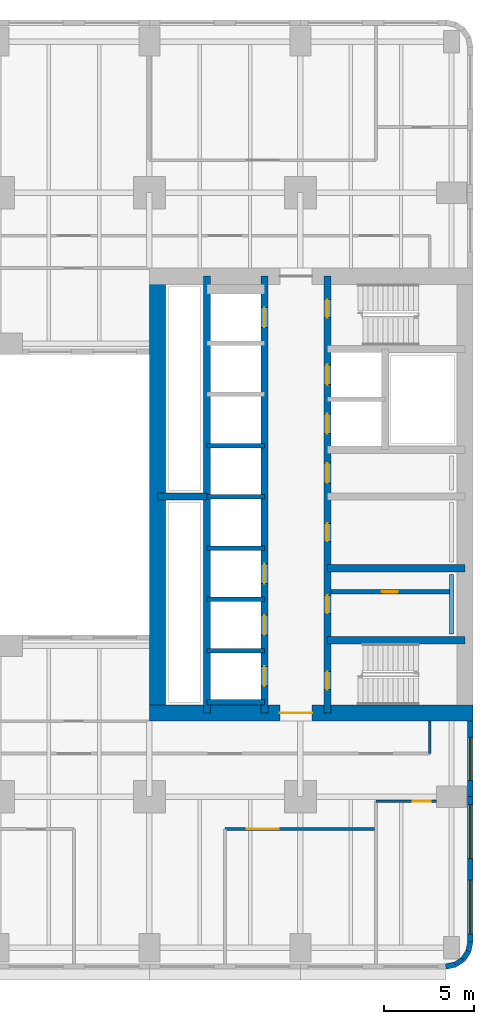
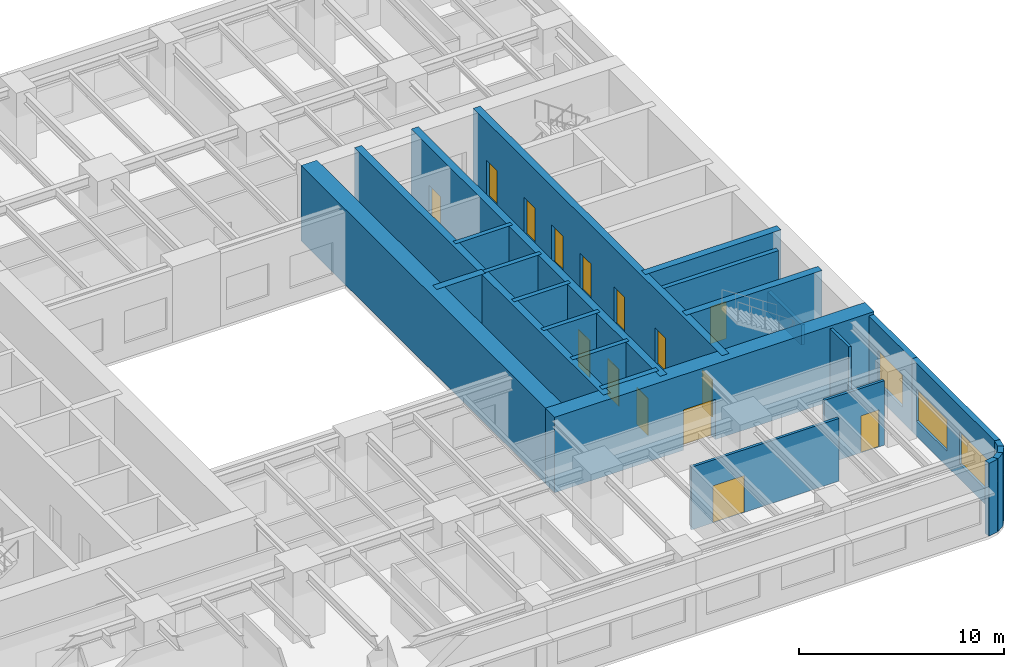
# One storey, part 5 of 14: 25 walls, 15 doors, 3 windows, 18 openings.
"""IFC4 building model written with IfcOpenShell, lengths in metres."""

from ifc_helpers import new_model, si_unit, direction, frame, frame_2d, origin, place, context, subcontext, project, spatial, rectangle, extrude, material, layer, layer_set, type_object, element, fill, save


model = new_model("IFC4")

# Units and contexts
model_context = context("Model", 3, precision=1e-05, world=origin(), true_north=direction((0.0, 1.0)))
body_context = subcontext(model_context, "Body", "Model", "MODEL_VIEW")
ifc_project = project(units=[si_unit("LENGTHUNIT", "METRE"), si_unit("AREAUNIT", "SQUARE_METRE"), si_unit("VOLUMEUNIT", "CUBIC_METRE"), si_unit("PLANEANGLEUNIT", "RADIAN"), si_unit("MASSUNIT", "GRAM", prefix="KILO")], contexts=[model_context])

# Site, building, storey
site_placement = place(None, origin())
site = spatial("IfcSite", under=ifc_project, at=site_placement, CompositionType="ELEMENT")
building_placement = place(site_placement, origin())
building = spatial("IfcBuilding", under=site, at=building_placement, Name="Claustro Exchange Tower", CompositionType="ELEMENT")
storey_placement = place(building_placement, frame((0.0, 0.0, 77.39990234375)))
storey = spatial("IfcBuildingStorey", under=building, at=storey_placement, Name="L17", CompositionType="ELEMENT", Elevation=77.39990234375)

# Wall, opening, door
ifc_material_1 = material(Name="Gypsum board on steel studs", Category="steel")
ifc_layer_1 = layer(ifc_material_1, 0.14990234375)
ifc_layer_set_1 = layer_set([ifc_layer_1], Name="Gypsum board on steel studs")
wall_type_1 = type_object("IfcWallType", Name="P1 150 plasterboard partition", PredefinedType="PARTITIONING", material=ifc_layer_set_1)
wall_1_placement = place(storey_placement, frame((46.199951171875, 8.14990234375, 0.0), z_axis=(0.0, 0.0, 1.0), x_axis=(1.0, 0.0, 0.0)))
wall_1 = element("IfcWall", 1, at=wall_1_placement, inside=storey, type_object=wall_type_1, Name="Partition P1 L17", PredefinedType="PARTITIONING", context=body_context, shape_type="SweptSolid", body=[
    extrude(rectangle(XDim=3.3759765625, YDim=0.14990234375, at=frame_2d((1.68798828125, 0.0))), origin(), (0.0, 0.0, 1.0), 3.840087890625),
])
opening_1_placement = place(wall_1_placement, frame((2.050048828125, 0.0, 0.0)))
opening_1 = element("IfcOpeningElement", 2, at=opening_1_placement, cuts=wall_1, Name="Opening D1", PredefinedType="OPENING", context=body_context, shape_type="SweptSolid", body=[
    extrude(rectangle(XDim=1.0, YDim=2.199951171875, at=frame_2d((0.5, 1.10009765625))), frame((0.0, 0.0849609375, 0.0), z_axis=(0.0, -1.0, 0.0), x_axis=(1.0, 0.0, 0.0)), (0.0, 0.0, 1.0), 0.169921875),
])
ifc_material_2 = material(Name="Timber door, oak veneer", Category="wood")
door_type_1 = type_object("IfcDoorType", Name="D1 1000 x 2200 single door", OperationType="SINGLE_SWING_LEFT", PredefinedType="DOOR", material=ifc_material_2)
door_1_placement = place(opening_1_placement, frame((1.0, 0.0, 0.0), z_axis=(0.0, 0.0, 1.0), x_axis=(-1.0, 0.0, 0.0)))
door_1 = element("IfcDoor", 3, at=door_1_placement, inside=storey, type_object=door_type_1, Name="Door D1 L17", OperationType="SINGLE_SWING_RIGHT", OverallHeight=2.199951171875, OverallWidth=1.0, PredefinedType="DOOR", context=body_context, shape_type="SweptSolid", body=[
    extrude(rectangle(XDim=1.0, YDim=2.199951171875, at=frame_2d((0.5, 1.10009765625))), frame((0.0, 0.02490234375, 0.0), z_axis=(0.0, -1.0, 0.0), x_axis=(1.0, 0.0, 0.0)), (0.0, 0.0, 1.0), 0.050048828125),
])
fill(opening_1, door_1)

wall_2_placement = place(storey_placement, frame((37.800048828125, 6.60009765625, 0.0), z_axis=(0.0, 0.0, 1.0), x_axis=(1.0, 0.0, 0.0)))
wall_2 = element("IfcWall", 4, at=wall_2_placement, inside=storey, type_object=wall_type_1, Name="Partition P1 L17", PredefinedType="PARTITIONING", context=body_context, shape_type="SweptSolid", body=[
    extrude(rectangle(XDim=8.325927734375, YDim=0.14990234375, at=frame_2d((4.1630859375, 0.0))), origin(), (0.0, 0.0, 1.0), 3.739990234375),
])
opening_2_placement = place(wall_2_placement, frame((1.199951171875, 0.0, 0.0)))
opening_2 = element("IfcOpeningElement", 5, at=opening_2_placement, cuts=wall_2, Name="Opening D2", PredefinedType="OPENING", context=body_context, shape_type="SweptSolid", body=[
    extrude(rectangle(XDim=1.800048828125, YDim=2.199951171875, at=frame_2d((0.89990234375, 1.10009765625))), frame((0.0, 0.0849609375, 0.0), z_axis=(0.0, -1.0, 0.0), x_axis=(1.0, 0.0, 0.0)), (0.0, 0.0, 1.0), 0.169921875),
])
ifc_material_3 = material(Name="Timber door, oak veneer", Category="wood")
door_type_2 = type_object("IfcDoorType", Name="D2 1800 x 2200 double door", OperationType="DOUBLE_DOOR_SINGLE_SWING", PredefinedType="DOOR", material=ifc_material_3)
door_2_placement = place(opening_2_placement, frame((1.800048828125, 0.0, 0.0), z_axis=(0.0, 0.0, 1.0), x_axis=(-1.0, 0.0, 0.0)))
door_2 = element("IfcDoor", 6, at=door_2_placement, inside=storey, type_object=door_type_2, Name="Double door D2 L17", OperationType="DOUBLE_DOOR_SINGLE_SWING", OverallHeight=2.199951171875, OverallWidth=1.800048828125, PredefinedType="DOOR", context=body_context, shape_type="SweptSolid", body=[
    extrude(rectangle(XDim=1.800048828125, YDim=2.199951171875, at=frame_2d((0.89990234375, 1.10009765625))), frame((0.0, 0.02490234375, 0.0), z_axis=(0.0, -1.0, 0.0), x_axis=(1.0, 0.0, 0.0)), (0.0, 0.0, 1.0), 0.050048828125),
])
fill(opening_2, door_2)

# Wall
wall_3_placement = place(storey_placement, frame((49.199951171875, 10.800048828125, 0.0), z_axis=(0.0, 0.0, 1.0), x_axis=(0.0, 1.0, 0.0)))
element("IfcWall", 7, at=wall_3_placement, inside=storey, type_object=wall_type_1, Name="Partition P1 L17", PredefinedType="PARTITIONING", context=body_context, shape_type="SweptSolid", body=[
    extrude(rectangle(XDim=1.802001953125, YDim=0.14990234375, at=frame_2d((0.90087890625, 0.0))), origin(), (0.0, 0.0, 1.0), 4.340087890625),
])

# Wall, opening, door
ifc_material_4 = material(Name="Concrete blockwork, rendered", Category="masonry")
ifc_layer_2 = layer(ifc_material_4, 0.25)
ifc_layer_set_2 = layer_set([ifc_layer_2], Name="Concrete blockwork, rendered")
wall_type_2 = type_object("IfcWallType", Name="P4 250 blockwork wall", PredefinedType="PARTITIONING", material=ifc_layer_set_2)
wall_4_placement = place(storey_placement, frame((43.699951171875, 19.800048828125, 0.0), z_axis=(0.0, 0.0, 1.0), x_axis=(1.0, 0.0, 0.0)))
wall_4 = element("IfcWall", 8, at=wall_4_placement, inside=storey, type_object=wall_type_2, Name="Partition P4 L17", PredefinedType="PARTITIONING", context=body_context, shape_type="SweptSolid", body=[
    extrude(rectangle(XDim=6.60009765625, YDim=0.25, at=frame_2d((3.300048828125, 0.0))), origin(), (0.0, 0.0, 1.0), 4.300048828125),
])
opening_3_placement = place(wall_4_placement, frame((2.824951171875, 0.0, 0.0)))
opening_3 = element("IfcOpeningElement", 9, at=opening_3_placement, cuts=wall_4, Name="Opening D5", PredefinedType="OPENING", context=body_context, shape_type="SweptSolid", body=[
    extrude(rectangle(XDim=0.89990234375, YDim=2.199951171875, at=frame_2d((0.449951171875, 1.10009765625))), frame((0.0, 0.135009765625, 0.0), z_axis=(0.0, -1.0, 0.0), x_axis=(1.0, 0.0, 0.0)), (0.0, 0.0, 1.0), 0.27001953125),
])
ifc_material_5 = material(Name="Steel door, painted", Category="steel")
door_type_3 = type_object("IfcDoorType", Name="D5 900 x 2200 store door", OperationType="SINGLE_SWING_LEFT", PredefinedType="DOOR", material=ifc_material_5)
door_3_placement = place(opening_3_placement, origin())
door_3 = element("IfcDoor", 10, at=door_3_placement, inside=storey, type_object=door_type_3, Name="Store door D5 L17", OperationType="SINGLE_SWING_RIGHT", OverallHeight=2.199951171875, OverallWidth=0.89990234375, PredefinedType="DOOR", context=body_context, shape_type="SweptSolid", body=[
    extrude(rectangle(XDim=0.89990234375, YDim=2.199951171875, at=frame_2d((0.449951171875, 1.10009765625))), frame((0.0, 0.02490234375, 0.0), z_axis=(0.0, -1.0, 0.0), x_axis=(1.0, 0.0, 0.0)), (0.0, 0.0, 1.0), 0.050048828125),
])
fill(opening_3, door_3)

# Wall, opening, window
ifc_material_6 = material(Name="Concrete HA-40 (C40/50), precast, white cement, acid-etched", Category="concrete")
ifc_layer_3 = layer(ifc_material_6, 0.300048828125)
ifc_layer_set_3 = layer_set([ifc_layer_3], Name="Concrete HA-40 (C40/50), precast, white cement, acid-etched")
wall_type_3 = type_object("IfcWallType", Name="PC1 300 precast concrete pier panel", PredefinedType="SOLIDWALL", material=ifc_layer_set_3)
wall_5_placement = place(storey_placement, frame((51.449951171875, 12.60009765625, 0.0), z_axis=(0.0, 0.0, 1.0), x_axis=(0.0, -1.0, 0.0)))
wall_5 = element("IfcWall", 11, at=wall_5_placement, inside=storey, type_object=wall_type_3, Name="Precast pier panel PC1 L17", PredefinedType="SOLIDWALL", context=body_context, shape_type="SweptSolid", body=[
    extrude(rectangle(XDim=4.2001953125, YDim=0.300048828125, at=frame_2d((2.10009765625, 0.0))), origin(), (0.0, 0.0, 1.0), 4.340087890625),
])
opening_4_placement = place(wall_5_placement, frame((0.89990234375, 0.0, 0.89990234375)))
opening_4 = element("IfcOpeningElement", 12, at=opening_4_placement, cuts=wall_5, Name="Opening W2", PredefinedType="OPENING", context=body_context, shape_type="SweptSolid", body=[
    extrude(rectangle(XDim=2.39990234375, YDim=1.89990234375, at=frame_2d((1.199951171875, 0.949951171875))), frame((0.0, 0.159912109375, 0.0), z_axis=(0.0, -1.0, 0.0), x_axis=(1.0, 0.0, 0.0)), (0.0, 0.0, 1.0), 0.320068359375),
])
ifc_material_7 = material(Name="Aluminium frame, clear double glazing", Category="aluminium")
window_type_1 = type_object("IfcWindowType", Name="W2 2400 x 1900 window", PartitioningType="SINGLE_PANEL", PredefinedType="WINDOW", material=ifc_material_7)
window_1_placement = place(opening_4_placement, origin())
window_1 = element("IfcWindow", 13, at=window_1_placement, inside=storey, type_object=window_type_1, Name="Window W2 L17", OverallHeight=1.89990234375, OverallWidth=2.39990234375, PartitioningType="SINGLE_PANEL", PredefinedType="WINDOW", context=body_context, shape_type="SweptSolid", body=[
    extrude(rectangle(XDim=2.39990234375, YDim=1.89990234375, at=frame_2d((1.199951171875, 0.949951171875))), frame((0.0, 0.030029296875, 0.0), z_axis=(0.0, -1.0, 0.0), x_axis=(1.0, 0.0, 0.0)), (0.0, 0.0, 1.0), 0.06005859375),
])
fill(opening_4, window_1)

# Wall, openings, windows
wall_6_placement = place(storey_placement, frame((51.449951171875, 8.39990234375, 0.0), z_axis=(0.0, 0.0, 1.0), x_axis=(0.0, -1.0, 0.0)))
wall_6 = element("IfcWall", 14, at=wall_6_placement, inside=storey, type_object=wall_type_3, Name="Precast pier panel PC1 L17", PredefinedType="SOLIDWALL", context=body_context, shape_type="SweptSolid", body=[
    extrude(rectangle(XDim=8.085205078125, YDim=0.300048828125, at=frame_2d((4.04248046875, 0.0))), origin(), (0.0, 0.0, 1.0), 4.340087890625),
])
opening_5_placement = place(wall_6_placement, frame((0.442626953125, 0.0, 0.89990234375)))
opening_5 = element("IfcOpeningElement", 15, at=opening_5_placement, cuts=wall_6, Name="Opening W1", PredefinedType="OPENING", context=body_context, shape_type="SweptSolid", body=[
    extrude(rectangle(XDim=3.0, YDim=1.89990234375, at=frame_2d((1.5, 0.949951171875))), frame((0.0, 0.159912109375, 0.0), z_axis=(0.0, -1.0, 0.0), x_axis=(1.0, 0.0, 0.0)), (0.0, 0.0, 1.0), 0.320068359375),
])
opening_6_placement = place(wall_6_placement, frame((4.642578125, 0.0, 0.89990234375)))
opening_6 = element("IfcOpeningElement", 16, at=opening_6_placement, cuts=wall_6, Name="Opening W1", PredefinedType="OPENING", context=body_context, shape_type="SweptSolid", body=[
    extrude(rectangle(XDim=3.0, YDim=1.89990234375, at=frame_2d((1.5, 0.949951171875))), frame((0.0, 0.159912109375, 0.0), z_axis=(0.0, -1.0, 0.0), x_axis=(1.0, 0.0, 0.0)), (0.0, 0.0, 1.0), 0.320068359375),
])
ifc_material_8 = material(Name="Aluminium frame, clear double glazing", Category="aluminium")
window_type_2 = type_object("IfcWindowType", Name="W1 3000 x 1900 window", PartitioningType="SINGLE_PANEL", PredefinedType="WINDOW", material=ifc_material_8)
window_2_placement = place(opening_5_placement, origin())
window_2 = element("IfcWindow", 17, at=window_2_placement, inside=storey, type_object=window_type_2, Name="Window W1 L17", OverallHeight=1.89990234375, OverallWidth=3.0, PartitioningType="SINGLE_PANEL", PredefinedType="WINDOW", context=body_context, shape_type="SweptSolid", body=[
    extrude(rectangle(XDim=3.0, YDim=1.89990234375, at=frame_2d((1.5, 0.949951171875))), frame((0.0, 0.030029296875, 0.0), z_axis=(0.0, -1.0, 0.0), x_axis=(1.0, 0.0, 0.0)), (0.0, 0.0, 1.0), 0.06005859375),
])
fill(opening_5, window_2)
window_3_placement = place(opening_6_placement, origin())
window_3 = element("IfcWindow", 18, at=window_3_placement, inside=storey, type_object=window_type_2, Name="Window W1 L17", OverallHeight=1.89990234375, OverallWidth=3.0, PartitioningType="SINGLE_PANEL", PredefinedType="WINDOW", context=body_context, shape_type="SweptSolid", body=[
    extrude(rectangle(XDim=3.0, YDim=1.89990234375, at=frame_2d((1.5, 0.949951171875))), frame((0.0, 0.030029296875, 0.0), z_axis=(0.0, -1.0, 0.0), x_axis=(1.0, 0.0, 0.0)), (0.0, 0.0, 1.0), 0.06005859375),
])
fill(opening_6, window_3)

# Walls
wall_7_placement = place(storey_placement, frame((51.449951171875, 0.314697265625, 0.0), z_axis=(0.0, 0.0, 1.0), x_axis=(-0.195073962632, -0.980788534345, 0.0)))
element("IfcWall", 19, at=wall_7_placement, inside=storey, type_object=wall_type_3, Name="Precast pier panel PC1 L17", PredefinedType="SOLIDWALL", context=body_context, shape_type="SweptSolid", body=[
    extrude(rectangle(XDim=0.540771484375, YDim=0.300048828125, at=frame_2d((0.2705078125, 0.0))), origin(), (0.0, 0.0, 1.0), 4.340087890625),
])
for number, where, z_axis, x_axis, name in (
    (20, (51.344482421875, -0.215576171875, 0.0), (0.0, 0.0, 1.0), (-0.555557463938, -0.831478144188, 0.0), "Precast pier panel PC1 L17"),
    (21, (51.052490234375, -0.652587890625, 0.0), (0.0, 0.0, 1.0), (-0.831478144188, -0.555557463938, 0.0), "Precast pier panel PC1 L17"),
):
    element("IfcWall", number, at=place(storey_placement, frame(where, z_axis=z_axis, x_axis=x_axis)), inside=storey, type_object=wall_type_3, Name=name, PredefinedType="SOLIDWALL", context=body_context, shape_type="SweptSolid", body=[
        extrude(rectangle(XDim=0.525634765625, YDim=0.300048828125, at=frame_2d((0.2626953125, 0.0))), origin(), (0.0, 0.0, 1.0), 4.340087890625),
    ])
wall_8_placement = place(storey_placement, frame((50.615478515625, -0.944580078125, 0.0), z_axis=(0.0, 0.0, 1.0), x_axis=(-0.980788534345, -0.195073962632, 0.0)))
element("IfcWall", 22, at=wall_8_placement, inside=storey, type_object=wall_type_3, Name="Precast pier panel PC1 L17", PredefinedType="SOLIDWALL", context=body_context, shape_type="SweptSolid", body=[
    extrude(rectangle(XDim=0.540771484375, YDim=0.300048828125, at=frame_2d((0.2705078125, 0.0))), origin(), (0.0, 0.0, 1.0), 4.340087890625),
])
ifc_material_9 = material(Name="Gypsum board on steel studs, tiled", Category="steel")
ifc_layer_4 = layer(ifc_material_9, 0.199951171875)
ifc_layer_set_4 = layer_set([ifc_layer_4], Name="Gypsum board on steel studs, tiled")
wall_type_4 = type_object("IfcWallType", Name="PW1 200 WC duct wall", PredefinedType="PLUMBINGWALL", material=ifc_layer_set_4)
wall_9_placement = place(storey_placement, frame((50.39990234375, 17.449951171875, 0.0), z_axis=(0.0, 0.0, 1.0), x_axis=(0.0, 1.0, 0.0)))
element("IfcWall", 23, at=wall_9_placement, inside=storey, type_object=wall_type_4, Name="WC duct wall PW1 L17", PredefinedType="PLUMBINGWALL", context=body_context, shape_type="SweptSolid", body=[
    extrude(rectangle(XDim=3.300048828125, YDim=0.199951171875, at=frame_2d((1.64990234375, 0.0))), origin(), (0.0, 0.0, 1.0), 1.2001953125),
])

# Wall, opening, door
ifc_material_10 = material(Name="Concrete HA-70 (C70/85)", Category="concrete")
ifc_layer_5 = layer(ifc_material_10, 0.89990234375)
ifc_layer_set_5 = layer_set([ifc_layer_5], Name="Concrete HA-70 (C70/85)")
wall_type_5 = type_object("IfcWallType", Name="SW1 900 core shear wall", PredefinedType="SHEAR", material=ifc_layer_set_5)
wall_10_placement = place(storey_placement, frame((33.60009765625, 13.050048828125, 0.0), z_axis=(0.0, 0.0, 1.0), x_axis=(1.0, 0.0, 0.0)))
wall_10 = element("IfcWall", 24, at=wall_10_placement, inside=storey, type_object=wall_type_5, Name="Core wall SW1 E core S face L17", PredefinedType="SHEAR", context=body_context, shape_type="SweptSolid", body=[
    extrude(rectangle(XDim=18.0, YDim=0.89990234375, at=frame_2d((9.0, 0.0))), origin(), (0.0, 0.0, 1.0), 4.5),
])
opening_7_placement = place(wall_10_placement, frame((7.25, 0.0, 0.0)))
opening_7 = element("IfcOpeningElement", 25, at=opening_7_placement, cuts=wall_10, Name="Opening D3", PredefinedType="OPENING", context=body_context, shape_type="SweptSolid", body=[
    extrude(rectangle(XDim=1.800048828125, YDim=2.39990234375, at=frame_2d((0.89990234375, 1.199951171875))), frame((0.0, 0.4599609375, 0.0), z_axis=(0.0, -1.0, 0.0), x_axis=(1.0, 0.0, 0.0)), (0.0, 0.0, 1.0), 0.919921875),
])
ifc_material_11 = material(Name="Steel fire door, painted", Category="steel")
door_type_4 = type_object("IfcDoorType", Name="D3 1800 x 2400 fire-rated lobby double door", OperationType="DOUBLE_DOOR_SINGLE_SWING", PredefinedType="DOOR", material=ifc_material_11)
door_4_placement = place(opening_7_placement, origin())
door_4 = element("IfcDoor", 26, at=door_4_placement, inside=storey, type_object=door_type_4, Name="Lift lobby door D3 L17", OperationType="DOUBLE_DOOR_SINGLE_SWING", OverallHeight=2.39990234375, OverallWidth=1.800048828125, PredefinedType="DOOR", context=body_context, shape_type="SweptSolid", body=[
    extrude(rectangle(XDim=1.800048828125, YDim=2.39990234375, at=frame_2d((0.89990234375, 1.199951171875))), frame((0.0, 0.02490234375, 0.0), z_axis=(0.0, -1.0, 0.0), x_axis=(1.0, 0.0, 0.0)), (0.0, 0.0, 1.0), 0.050048828125),
])
fill(opening_7, door_4)

# Wall
ifc_material_12 = material(Name="Concrete HA-70 (C70/85)", Category="concrete")
ifc_layer_6 = layer(ifc_material_12, 0.89990234375)
ifc_layer_set_6 = layer_set([ifc_layer_6], Name="Concrete HA-70 (C70/85)")
wall_type_6 = type_object("IfcWallType", Name="SW1X 900 exposed core shear wall, board-marked face", PredefinedType="SHEAR", material=ifc_layer_set_6)
wall_11_placement = place(storey_placement, frame((34.050048828125, 13.050048828125, 0.0), z_axis=(0.0, 0.0, 1.0), x_axis=(0.0, 1.0, 0.0)))
element("IfcWall", 27, at=wall_11_placement, inside=storey, type_object=wall_type_6, Name="Core wall SW1X E core W face L17", PredefinedType="SHEAR", context=body_context, shape_type="SweptSolid", body=[
    extrude(rectangle(XDim=24.300048828125, YDim=0.89990234375, at=frame_2d((12.14990234375, 0.0))), origin(), (0.0, 0.0, 1.0), 4.5),
])

# Wall, openings, doors
ifc_material_13 = material(Name="Concrete HA-50 (C50/60)", Category="concrete")
ifc_layer_7 = layer(ifc_material_13, 0.39990234375)
ifc_layer_set_7 = layer_set([ifc_layer_7], Name="Concrete HA-50 (C50/60)")
wall_type_7 = type_object("IfcWallType", Name="SW4 400 internal core wall", PredefinedType="SHEAR", material=ifc_layer_set_7)
wall_12_placement = place(storey_placement, frame((43.5, 13.050048828125, 0.0), z_axis=(0.0, 0.0, 1.0), x_axis=(0.0, 1.0, 0.0)))
wall_12 = element("IfcWall", 28, at=wall_12_placement, inside=storey, type_object=wall_type_7, Name="Internal core wall SW4 E core L17", PredefinedType="SHEAR", context=body_context, shape_type="SweptSolid", body=[
    extrude(rectangle(XDim=24.300048828125, YDim=0.39990234375, at=frame_2d((12.14990234375, 0.0))), origin(), (0.0, 0.0, 1.0), 4.5),
])
opening_8_placement = place(wall_12_placement, frame((1.300048828125, 0.0, 0.0)))
opening_8 = element("IfcOpeningElement", 29, at=opening_8_placement, cuts=wall_12, Name="Opening D4", PredefinedType="OPENING", context=body_context, shape_type="SweptSolid", body=[
    extrude(rectangle(XDim=1.0, YDim=2.199951171875, at=frame_2d((0.5, 1.10009765625))), frame((0.0, 0.2099609375, 0.0), z_axis=(0.0, -1.0, 0.0), x_axis=(1.0, 0.0, 0.0)), (0.0, 0.0, 1.0), 0.419921875),
])
opening_9_placement = place(wall_12_placement, frame((22.0, 0.0, 0.0)))
opening_9 = element("IfcOpeningElement", 30, at=opening_9_placement, cuts=wall_12, Name="Opening D4", PredefinedType="OPENING", context=body_context, shape_type="SweptSolid", body=[
    extrude(rectangle(XDim=1.0, YDim=2.199951171875, at=frame_2d((0.5, 1.10009765625))), frame((0.0, 0.2099609375, 0.0), z_axis=(0.0, -1.0, 0.0), x_axis=(1.0, 0.0, 0.0)), (0.0, 0.0, 1.0), 0.419921875),
])
opening_10_placement = place(wall_12_placement, frame((5.550048828125, 0.0, 0.0)))
opening_10 = element("IfcOpeningElement", 31, at=opening_10_placement, cuts=wall_12, Name="Opening D1", PredefinedType="OPENING", context=body_context, shape_type="SweptSolid", body=[
    extrude(rectangle(XDim=1.0, YDim=2.199951171875, at=frame_2d((0.5, 1.10009765625))), frame((0.0, 0.2099609375, 0.0), z_axis=(0.0, -1.0, 0.0), x_axis=(1.0, 0.0, 0.0)), (0.0, 0.0, 1.0), 0.419921875),
])
opening_11_placement = place(wall_12_placement, frame((9.550048828125, 0.0, 0.0)))
opening_11 = element("IfcOpeningElement", 32, at=opening_11_placement, cuts=wall_12, Name="Opening D1", PredefinedType="OPENING", context=body_context, shape_type="SweptSolid", body=[
    extrude(rectangle(XDim=1.0, YDim=2.199951171875, at=frame_2d((0.5, 1.10009765625))), frame((0.0, 0.2099609375, 0.0), z_axis=(0.0, -1.0, 0.0), x_axis=(1.0, 0.0, 0.0)), (0.0, 0.0, 1.0), 0.419921875),
])
opening_12_placement = place(wall_12_placement, frame((12.800048828125, 0.0, 0.0)))
opening_12 = element("IfcOpeningElement", 33, at=opening_12_placement, cuts=wall_12, Name="Opening D10", PredefinedType="OPENING", context=body_context, shape_type="SweptSolid", body=[
    extrude(rectangle(XDim=1.10009765625, YDim=2.199951171875, at=frame_2d((0.550048828125, 1.10009765625))), frame((0.0, 0.2099609375, 0.0), z_axis=(0.0, -1.0, 0.0), x_axis=(1.0, 0.0, 0.0)), (0.0, 0.0, 1.0), 0.419921875),
])
opening_13_placement = place(wall_12_placement, frame((15.53759765625, 0.0, 0.0)))
opening_13 = element("IfcOpeningElement", 34, at=opening_13_placement, cuts=wall_12, Name="Opening LD", PredefinedType="OPENING", context=body_context, shape_type="SweptSolid", body=[
    extrude(rectangle(XDim=1.10009765625, YDim=2.199951171875, at=frame_2d((0.550048828125, 1.10009765625))), frame((0.0, 0.2099609375, 0.0), z_axis=(0.0, -1.0, 0.0), x_axis=(1.0, 0.0, 0.0)), (0.0, 0.0, 1.0), 0.419921875),
])
opening_14_placement = place(wall_12_placement, frame((18.262451171875, 0.0, 0.0)))
opening_14 = element("IfcOpeningElement", 35, at=opening_14_placement, cuts=wall_12, Name="Opening LD", PredefinedType="OPENING", context=body_context, shape_type="SweptSolid", body=[
    extrude(rectangle(XDim=1.10009765625, YDim=2.199951171875, at=frame_2d((0.550048828125, 1.10009765625))), frame((0.0, 0.2099609375, 0.0), z_axis=(0.0, -1.0, 0.0), x_axis=(1.0, 0.0, 0.0)), (0.0, 0.0, 1.0), 0.419921875),
])
door_5_placement = place(opening_10_placement, frame((1.0, 0.0, 0.0), z_axis=(0.0, 0.0, 1.0), x_axis=(-1.0, 0.0, 0.0)))
door_5 = element("IfcDoor", 36, at=door_5_placement, inside=storey, type_object=door_type_1, Name="Door D1 L17", OperationType="SINGLE_SWING_LEFT", OverallHeight=2.199951171875, OverallWidth=1.0, PredefinedType="DOOR", context=body_context, shape_type="SweptSolid", body=[
    extrude(rectangle(XDim=1.0, YDim=2.199951171875, at=frame_2d((0.5, 1.10009765625))), frame((0.0, 0.02490234375, 0.0), z_axis=(0.0, -1.0, 0.0), x_axis=(1.0, 0.0, 0.0)), (0.0, 0.0, 1.0), 0.050048828125),
])
fill(opening_10, door_5)
door_6_placement = place(opening_11_placement, frame((1.0, 0.0, 0.0), z_axis=(0.0, 0.0, 1.0), x_axis=(-1.0, 0.0, 0.0)))
door_6 = element("IfcDoor", 37, at=door_6_placement, inside=storey, type_object=door_type_1, Name="Door D1 L17", OperationType="SINGLE_SWING_LEFT", OverallHeight=2.199951171875, OverallWidth=1.0, PredefinedType="DOOR", context=body_context, shape_type="SweptSolid", body=[
    extrude(rectangle(XDim=1.0, YDim=2.199951171875, at=frame_2d((0.5, 1.10009765625))), frame((0.0, 0.02490234375, 0.0), z_axis=(0.0, -1.0, 0.0), x_axis=(1.0, 0.0, 0.0)), (0.0, 0.0, 1.0), 0.050048828125),
])
fill(opening_11, door_6)
ifc_material_14 = material(Name="Timber door, oak veneer", Category="wood")
door_type_5 = type_object("IfcDoorType", Name="D10 1100 x 2200 accessible WC door", OperationType="SINGLE_SWING_LEFT", PredefinedType="DOOR", material=ifc_material_14)
door_7_placement = place(opening_12_placement, origin())
door_7 = element("IfcDoor", 38, at=door_7_placement, inside=storey, type_object=door_type_5, Name="Accessible WC door D10 L17", OperationType="SINGLE_SWING_RIGHT", OverallHeight=2.199951171875, OverallWidth=1.10009765625, PredefinedType="DOOR", context=body_context, shape_type="SweptSolid", body=[
    extrude(rectangle(XDim=1.10009765625, YDim=2.199951171875, at=frame_2d((0.550048828125, 1.10009765625))), frame((0.0, 0.02490234375, 0.0), z_axis=(0.0, -1.0, 0.0), x_axis=(1.0, 0.0, 0.0)), (0.0, 0.0, 1.0), 0.050048828125),
])
fill(opening_12, door_7)
ifc_material_15 = material(Name="Steel fire door, painted", Category="steel")
door_type_6 = type_object("IfcDoorType", Name="D4 1000 x 2200 fire-rated stair door", OperationType="SINGLE_SWING_LEFT", PredefinedType="DOOR", material=ifc_material_15)
door_8_placement = place(opening_8_placement, frame((1.0, 0.0, 0.0), z_axis=(0.0, 0.0, 1.0), x_axis=(-1.0, 0.0, 0.0)))
door_8 = element("IfcDoor", 39, at=door_8_placement, inside=storey, type_object=door_type_6, Name="Stair door D4 L17", OperationType="SINGLE_SWING_RIGHT", OverallHeight=2.199951171875, OverallWidth=1.0, PredefinedType="DOOR", context=body_context, shape_type="SweptSolid", body=[
    extrude(rectangle(XDim=1.0, YDim=2.199951171875, at=frame_2d((0.5, 1.10009765625))), frame((0.0, 0.02490234375, 0.0), z_axis=(0.0, -1.0, 0.0), x_axis=(1.0, 0.0, 0.0)), (0.0, 0.0, 1.0), 0.050048828125),
])
fill(opening_8, door_8)
door_9_placement = place(opening_9_placement, frame((1.0, 0.0, 0.0), z_axis=(0.0, 0.0, 1.0), x_axis=(-1.0, 0.0, 0.0)))
door_9 = element("IfcDoor", 40, at=door_9_placement, inside=storey, type_object=door_type_6, Name="Stair door D4 L17", OperationType="SINGLE_SWING_LEFT", OverallHeight=2.199951171875, OverallWidth=1.0, PredefinedType="DOOR", context=body_context, shape_type="SweptSolid", body=[
    extrude(rectangle(XDim=1.0, YDim=2.199951171875, at=frame_2d((0.5, 1.10009765625))), frame((0.0, 0.02490234375, 0.0), z_axis=(0.0, -1.0, 0.0), x_axis=(1.0, 0.0, 0.0)), (0.0, 0.0, 1.0), 0.050048828125),
])
fill(opening_9, door_9)
ifc_material_16 = material(Name="Stainless steel sliding door", Category="steel")
door_type_7 = type_object("IfcDoorType", Name="LD 1100 x 2200 lift landing door", OperationType="DOUBLE_DOOR_SLIDING", PredefinedType="DOOR", material=ifc_material_16)
door_10_placement = place(opening_13_placement, origin())
door_10 = element("IfcDoor", 41, at=door_10_placement, inside=storey, type_object=door_type_7, Name="Lift landing door LEE1 LD L17", OperationType="DOUBLE_DOOR_SLIDING", OverallHeight=2.199951171875, OverallWidth=1.10009765625, PredefinedType="DOOR", context=body_context, shape_type="SweptSolid", body=[
    extrude(rectangle(XDim=1.10009765625, YDim=2.199951171875, at=frame_2d((0.550048828125, 1.10009765625))), frame((0.0, 0.02490234375, 0.0), z_axis=(0.0, -1.0, 0.0), x_axis=(1.0, 0.0, 0.0)), (0.0, 0.0, 1.0), 0.050048828125),
])
fill(opening_13, door_10)
door_11_placement = place(opening_14_placement, origin())
door_11 = element("IfcDoor", 42, at=door_11_placement, inside=storey, type_object=door_type_7, Name="Lift landing door LEE2 LD L17", OperationType="DOUBLE_DOOR_SLIDING", OverallHeight=2.199951171875, OverallWidth=1.10009765625, PredefinedType="DOOR", context=body_context, shape_type="SweptSolid", body=[
    extrude(rectangle(XDim=1.10009765625, YDim=2.199951171875, at=frame_2d((0.550048828125, 1.10009765625))), frame((0.0, 0.02490234375, 0.0), z_axis=(0.0, -1.0, 0.0), x_axis=(1.0, 0.0, 0.0)), (0.0, 0.0, 1.0), 0.050048828125),
])
fill(opening_14, door_11)

wall_13_placement = place(storey_placement, frame((40.0, 13.050048828125, 0.0), z_axis=(0.0, 0.0, 1.0), x_axis=(0.0, 1.0, 0.0)))
wall_13 = element("IfcWall", 43, at=wall_13_placement, inside=storey, type_object=wall_type_7, Name="Internal core wall SW4 E core L17", PredefinedType="SHEAR", context=body_context, shape_type="SweptSolid", body=[
    extrude(rectangle(XDim=24.300048828125, YDim=0.39990234375, at=frame_2d((12.14990234375, 0.0))), origin(), (0.0, 0.0, 1.0), 4.5),
])
opening_15_placement = place(wall_13_placement, frame((1.5, 0.0, 0.0)))
opening_15 = element("IfcOpeningElement", 44, at=opening_15_placement, cuts=wall_13, Name="Opening LD", PredefinedType="OPENING", context=body_context, shape_type="SweptSolid", body=[
    extrude(rectangle(XDim=1.10009765625, YDim=2.199951171875, at=frame_2d((0.550048828125, 1.10009765625))), frame((0.0, 0.2099609375, 0.0), z_axis=(0.0, -1.0, 0.0), x_axis=(1.0, 0.0, 0.0)), (0.0, 0.0, 1.0), 0.419921875),
])
opening_16_placement = place(wall_13_placement, frame((4.35009765625, 0.0, 0.0)))
opening_16 = element("IfcOpeningElement", 45, at=opening_16_placement, cuts=wall_13, Name="Opening LD", PredefinedType="OPENING", context=body_context, shape_type="SweptSolid", body=[
    extrude(rectangle(XDim=1.10009765625, YDim=2.199951171875, at=frame_2d((0.550048828125, 1.10009765625))), frame((0.0, 0.2099609375, 0.0), z_axis=(0.0, -1.0, 0.0), x_axis=(1.0, 0.0, 0.0)), (0.0, 0.0, 1.0), 0.419921875),
])
opening_17_placement = place(wall_13_placement, frame((7.199951171875, 0.0, 0.0)))
opening_17 = element("IfcOpeningElement", 46, at=opening_17_placement, cuts=wall_13, Name="Opening LD", PredefinedType="OPENING", context=body_context, shape_type="SweptSolid", body=[
    extrude(rectangle(XDim=1.10009765625, YDim=2.199951171875, at=frame_2d((0.550048828125, 1.10009765625))), frame((0.0, 0.2099609375, 0.0), z_axis=(0.0, -1.0, 0.0), x_axis=(1.0, 0.0, 0.0)), (0.0, 0.0, 1.0), 0.419921875),
])
opening_18_placement = place(wall_13_placement, frame((21.449951171875, 0.0, 0.0)))
opening_18 = element("IfcOpeningElement", 47, at=opening_18_placement, cuts=wall_13, Name="Opening LD", PredefinedType="OPENING", context=body_context, shape_type="SweptSolid", body=[
    extrude(rectangle(XDim=1.10009765625, YDim=2.199951171875, at=frame_2d((0.550048828125, 1.10009765625))), frame((0.0, 0.2099609375, 0.0), z_axis=(0.0, -1.0, 0.0), x_axis=(1.0, 0.0, 0.0)), (0.0, 0.0, 1.0), 0.419921875),
])
door_12_placement = place(opening_15_placement, origin())
door_12 = element("IfcDoor", 48, at=door_12_placement, inside=storey, type_object=door_type_7, Name="Lift landing door LLE1 LD L17", OperationType="DOUBLE_DOOR_SLIDING", OverallHeight=2.199951171875, OverallWidth=1.10009765625, PredefinedType="DOOR", context=body_context, shape_type="SweptSolid", body=[
    extrude(rectangle(XDim=1.10009765625, YDim=2.199951171875, at=frame_2d((0.550048828125, 1.10009765625))), frame((0.0, 0.02490234375, 0.0), z_axis=(0.0, -1.0, 0.0), x_axis=(1.0, 0.0, 0.0)), (0.0, 0.0, 1.0), 0.050048828125),
])
fill(opening_15, door_12)
door_13_placement = place(opening_16_placement, origin())
door_13 = element("IfcDoor", 49, at=door_13_placement, inside=storey, type_object=door_type_7, Name="Lift landing door LLE2 LD L17", OperationType="DOUBLE_DOOR_SLIDING", OverallHeight=2.199951171875, OverallWidth=1.10009765625, PredefinedType="DOOR", context=body_context, shape_type="SweptSolid", body=[
    extrude(rectangle(XDim=1.10009765625, YDim=2.199951171875, at=frame_2d((0.550048828125, 1.10009765625))), frame((0.0, 0.02490234375, 0.0), z_axis=(0.0, -1.0, 0.0), x_axis=(1.0, 0.0, 0.0)), (0.0, 0.0, 1.0), 0.050048828125),
])
fill(opening_16, door_13)
door_14_placement = place(opening_17_placement, origin())
door_14 = element("IfcDoor", 50, at=door_14_placement, inside=storey, type_object=door_type_7, Name="Lift landing door LLE3 LD L17", OperationType="DOUBLE_DOOR_SLIDING", OverallHeight=2.199951171875, OverallWidth=1.10009765625, PredefinedType="DOOR", context=body_context, shape_type="SweptSolid", body=[
    extrude(rectangle(XDim=1.10009765625, YDim=2.199951171875, at=frame_2d((0.550048828125, 1.10009765625))), frame((0.0, 0.02490234375, 0.0), z_axis=(0.0, -1.0, 0.0), x_axis=(1.0, 0.0, 0.0)), (0.0, 0.0, 1.0), 0.050048828125),
])
fill(opening_17, door_14)
door_15_placement = place(opening_18_placement, origin())
door_15 = element("IfcDoor", 51, at=door_15_placement, inside=storey, type_object=door_type_7, Name="Lift landing door LSE1 LD L17", OperationType="DOUBLE_DOOR_SLIDING", OverallHeight=2.199951171875, OverallWidth=1.10009765625, PredefinedType="DOOR", context=body_context, shape_type="SweptSolid", body=[
    extrude(rectangle(XDim=1.10009765625, YDim=2.199951171875, at=frame_2d((0.550048828125, 1.10009765625))), frame((0.0, 0.02490234375, 0.0), z_axis=(0.0, -1.0, 0.0), x_axis=(1.0, 0.0, 0.0)), (0.0, 0.0, 1.0), 0.050048828125),
])
fill(opening_18, door_15)

# Walls
wall_14_placement = place(storey_placement, frame((36.800048828125, 13.050048828125, 0.0), z_axis=(0.0, 0.0, 1.0), x_axis=(0.0, 1.0, 0.0)))
element("IfcWall", 52, at=wall_14_placement, inside=storey, type_object=wall_type_7, Name="Internal core wall SW4 E core L17", PredefinedType="SHEAR", context=body_context, shape_type="SweptSolid", body=[
    extrude(rectangle(XDim=24.300048828125, YDim=0.39990234375, at=frame_2d((12.14990234375, 0.0))), origin(), (0.0, 0.0, 1.0), 4.5),
])
for number, where, z_axis, x_axis, name in (
    (53, (51.14990234375, 17.10009765625, 0.0), (0.0, 0.0, 1.0), (-1.0, 0.0, 0.0), "Internal core wall SW4 E core L17"),
    (54, (51.14990234375, 21.10009765625, 0.0), (0.0, 0.0, 1.0), (-1.0, 0.0, 0.0), "Internal core wall SW4 E core L17"),
):
    element("IfcWall", number, at=place(storey_placement, frame(where, z_axis=z_axis, x_axis=x_axis)), inside=storey, type_object=wall_type_7, Name=name, PredefinedType="SHEAR", context=body_context, shape_type="SweptSolid", body=[
        extrude(rectangle(XDim=7.64990234375, YDim=0.39990234375, at=frame_2d((3.824951171875, 0.0))), origin(), (0.0, 0.0, 1.0), 4.5),
    ])
wall_15_placement = place(storey_placement, frame((36.800048828125, 25.10009765625, 0.0), z_axis=(0.0, 0.0, 1.0), x_axis=(-1.0, 0.0, 0.0)))
element("IfcWall", 55, at=wall_15_placement, inside=storey, type_object=wall_type_7, Name="Internal core wall SW4 E core L17", PredefinedType="SHEAR", context=body_context, shape_type="SweptSolid", body=[
    extrude(rectangle(XDim=2.75, YDim=0.39990234375, at=frame_2d((1.375, 0.0))), origin(), (0.0, 0.0, 1.0), 4.5),
])
ifc_material_17 = material(Name="Concrete HA-50 (C50/60)", Category="concrete")
ifc_layer_8 = layer(ifc_material_17, 0.25)
ifc_layer_set_8 = layer_set([ifc_layer_8], Name="Concrete HA-50 (C50/60)")
wall_type_8 = type_object("IfcWallType", Name="SW5 250 lift shaft divider wall", PredefinedType="SHEAR", material=ifc_layer_set_8)
for number, where, z_axis, x_axis, name in (
    (56, (40.0, 16.52490234375, 0.0), (0.0, 0.0, 1.0), (-1.0, 0.0, 0.0), "Lift shaft wall E core L17"),
    (57, (40.0, 19.375, 0.0), (0.0, 0.0, 1.0), (-1.0, 0.0, 0.0), "Lift shaft wall E core L17"),
    (58, (40.0, 22.22509765625, 0.0), (0.0, 0.0, 1.0), (-1.0, 0.0, 0.0), "Lift shaft wall E core L17"),
    (59, (40.0, 25.074951171875, 0.0), (0.0, 0.0, 1.0), (-1.0, 0.0, 0.0), "Lift shaft wall E core L17"),
    (60, (40.0, 27.925048828125, 0.0), (0.0, 0.0, 1.0), (-1.0, 0.0, 0.0), "Lift shaft wall E core L17"),
):
    element("IfcWall", number, at=place(storey_placement, frame(where, z_axis=z_axis, x_axis=x_axis)), inside=storey, type_object=wall_type_8, Name=name, PredefinedType="SHEAR", context=body_context, shape_type="SweptSolid", body=[
        extrude(rectangle(XDim=3.199951171875, YDim=0.25, at=frame_2d((1.60009765625, 0.0))), origin(), (0.0, 0.0, 1.0), 4.5),
    ])
ifc_material_18 = material(Name="Concrete HA-50 (C50/60)", Category="concrete")
ifc_layer_9 = layer(ifc_material_18, 0.300048828125)
ifc_layer_set_9 = layer_set([ifc_layer_9], Name="Concrete HA-50 (C50/60)")
wall_type_9 = type_object("IfcWallType", Name="SW6A 300 lift shaft end wall", PredefinedType="SHEAR", material=ifc_layer_set_9)
wall_16_placement = place(storey_placement, frame((40.0, 13.64990234375, 0.0), z_axis=(0.0, 0.0, 1.0), x_axis=(-1.0, 0.0, 0.0)))
element("IfcWall", 61, at=wall_16_placement, inside=storey, type_object=wall_type_9, Name="Lift shaft wall E core L17", PredefinedType="SHEAR", context=body_context, shape_type="SweptSolid", body=[
    extrude(rectangle(XDim=3.199951171875, YDim=0.300048828125, at=frame_2d((1.60009765625, 0.0))), origin(), (0.0, 0.0, 1.0), 4.5),
])

save(model, "model.ifc")
